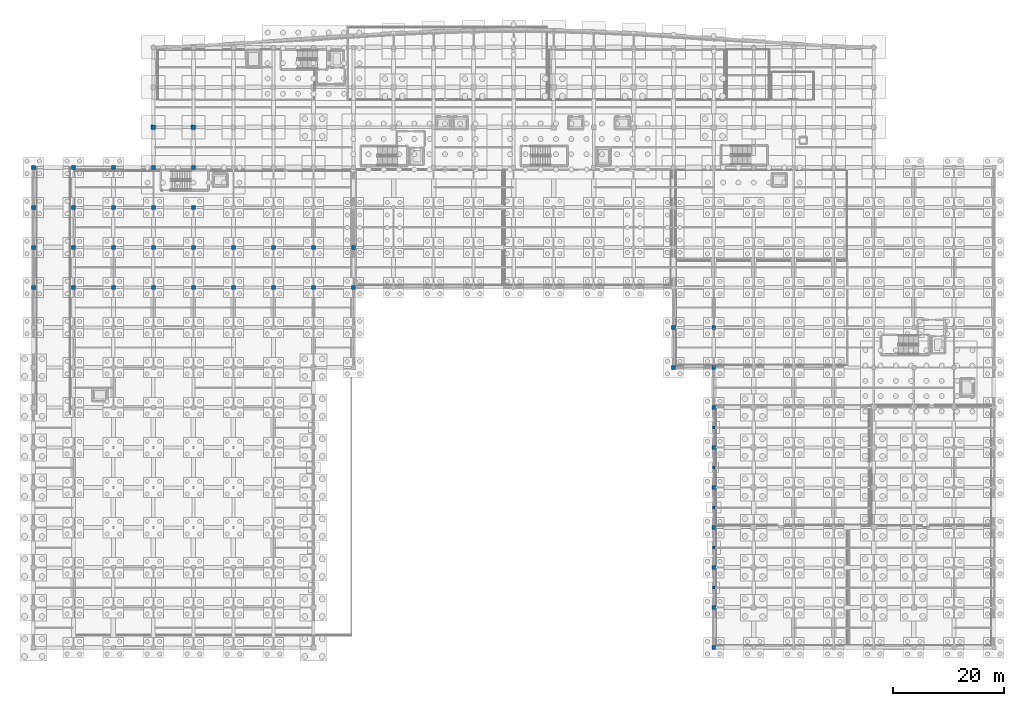
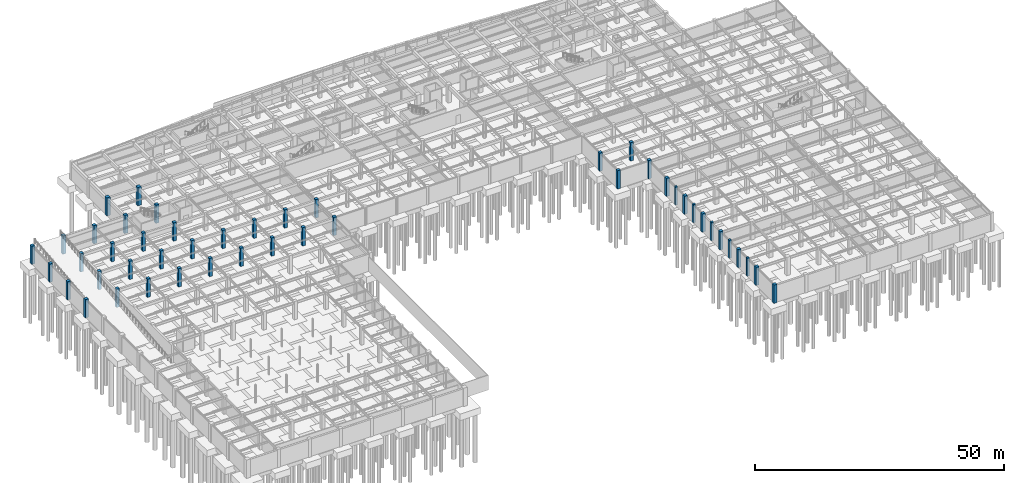
# One storey, part 17 of 48: 46 columns.
"""IFC4 building model written with IfcOpenShell, lengths in metres."""

from ifc_helpers import new_model, si_unit, direction, frame, origin, origin_2d, place, context, subcontext, project, spatial, rectangle, extrude, material, material_profile, profile_set, type_object, element, save


model = new_model("IFC4")

# Units and contexts
model_context = context("Model", 3, precision=1e-05, world=origin(), true_north=direction((0.0, 1.0)))
body_context = subcontext(model_context, "Body", "Model", "MODEL_VIEW")
ifc_project = project(units=[si_unit("LENGTHUNIT", "METRE"), si_unit("AREAUNIT", "SQUARE_METRE"), si_unit("VOLUMEUNIT", "CUBIC_METRE"), si_unit("PLANEANGLEUNIT", "RADIAN"), si_unit("MASSUNIT", "GRAM", prefix="KILO")], contexts=[model_context])

# Site, building, storey
site_placement = place(None, origin())
site = spatial("IfcSite", under=ifc_project, at=site_placement, CompositionType="ELEMENT")
building_placement = place(site_placement, origin())
building = spatial("IfcBuilding", under=site, at=building_placement, Name="Carrowvane Square Congress Hotel", CompositionType="ELEMENT")
storey_placement = place(building_placement, frame((0.0, 0.0, -4.5)))
storey = spatial("IfcBuildingStorey", under=building, at=storey_placement, Name="B01", CompositionType="ELEMENT", Elevation=-4.5)

# Columns
ifc_material_1 = material(Name="Concrete C40/50", Category="concrete")
ifc_material_profile_1 = material_profile(ifc_material_1, rectangle(XDim=0.699951171875, YDim=0.699951171875, at=origin_2d()), Name="RC 700x700")
ifc_profile_set_1 = profile_set([ifc_material_profile_1], Name="Concrete C40/50")
column_type_1 = type_object("IfcColumnType", Name="COL-RC-700", PredefinedType="COLUMN", material=ifc_profile_set_1)
for number, where, z_axis, x_axis, name in (
    (1, (11.60009765625, 70.199951171875, 0.0), (0.0, 0.0, 1.0), (1.0, 0.0, 0.0), "B01 column 1/K"),
    (2, (11.60009765625, 77.39990234375, 0.0), (0.0, 0.0, 1.0), (1.0, 0.0, 0.0), "B01 column 1/L"),
    (3, (11.60009765625, 84.60009765625, 0.0), (0.0, 0.0, 1.0), (1.0, 0.0, 0.0), "B01 column 1/M"),
    (4, (11.60009765625, 91.800048828125, 0.0), (0.0, 0.0, 1.0), (1.0, 0.0, 0.0), "B01 column 1/N"),
    (5, (18.800048828125, 70.199951171875, 0.0), (0.0, 0.0, 1.0), (1.0, 0.0, 0.0), "B01 column 2/K"),
    (6, (18.800048828125, 77.39990234375, 0.0), (0.0, 0.0, 1.0), (1.0, 0.0, 0.0), "B01 column 2/L"),
    (7, (18.800048828125, 84.60009765625, 0.0), (0.0, 0.0, 1.0), (1.0, 0.0, 0.0), "B01 column 2/M"),
    (8, (18.800048828125, 91.800048828125, 0.0), (0.0, 0.0, 1.0), (1.0, 0.0, 0.0), "B01 column 2/N"),
    (9, (26.0, 70.199951171875, 0.0), (0.0, 0.0, 1.0), (1.0, 0.0, 0.0), "B01 column 3/K"),
    (10, (26.0, 77.39990234375, 0.0), (0.0, 0.0, 1.0), (1.0, 0.0, 0.0), "B01 column 3/L"),
    (11, (26.0, 84.60009765625, 0.0), (0.0, 0.0, 1.0), (1.0, 0.0, 0.0), "B01 column 3/M"),
    (12, (26.0, 91.800048828125, 0.0), (0.0, 0.0, 1.0), (1.0, 0.0, 0.0), "B01 column 3/N"),
    (13, (33.199951171875, 70.199951171875, 0.0), (0.0, 0.0, 1.0), (1.0, 0.0, 0.0), "B01 column 4/K"),
    (14, (33.199951171875, 77.39990234375, 0.0), (0.0, 0.0, 1.0), (1.0, 0.0, 0.0), "B01 column 4/L"),
    (15, (33.199951171875, 84.60009765625, 0.0), (0.0, 0.0, 1.0), (1.0, 0.0, 0.0), "B01 column 4/M"),
    (16, (33.199951171875, 91.800048828125, 0.0), (0.0, 0.0, 1.0), (1.0, 0.0, 0.0), "B01 column 4/N"),
    (17, (40.39990234375, 70.199951171875, 0.0), (0.0, 0.0, 1.0), (1.0, 0.0, 0.0), "B01 column 5/K"),
    (18, (40.39990234375, 77.39990234375, 0.0), (0.0, 0.0, 1.0), (1.0, 0.0, 0.0), "B01 column 5/L"),
    (19, (40.39990234375, 84.60009765625, 0.0), (0.0, 0.0, 1.0), (1.0, 0.0, 0.0), "B01 column 5/M"),
    (20, (40.39990234375, 91.800048828125, 0.0), (0.0, 0.0, 1.0), (1.0, 0.0, 0.0), "B01 column 5/N"),
    (21, (47.60009765625, 70.199951171875, 0.0), (0.0, 0.0, 1.0), (1.0, 0.0, 0.0), "B01 column 6/K"),
    (22, (47.60009765625, 77.39990234375, 0.0), (0.0, 0.0, 1.0), (1.0, 0.0, 0.0), "B01 column 6/L"),
    (23, (54.800048828125, 70.199951171875, 0.0), (0.0, 0.0, 1.0), (1.0, 0.0, 0.0), "B01 column 7/K"),
    (24, (54.800048828125, 77.39990234375, 0.0), (0.0, 0.0, 1.0), (1.0, 0.0, 0.0), "B01 column 7/L"),
    (25, (62.0, 70.199951171875, 0.0), (0.0, 0.0, 1.0), (1.0, 0.0, 0.0), "B01 column 8/K"),
    (26, (62.0, 77.39990234375, 0.0), (0.0, 0.0, 1.0), (1.0, 0.0, 0.0), "B01 column 8/L"),
    (27, (69.199951171875, 70.199951171875, 0.0), (0.0, 0.0, 1.0), (1.0, 0.0, 0.0), "B01 column 9/K"),
    (28, (69.199951171875, 77.39990234375, 0.0), (0.0, 0.0, 1.0), (1.0, 0.0, 0.0), "B01 column 9/L"),
    (29, (126.800048828125, 55.800048828125, 0.0), (0.0, 0.0, 1.0), (1.0, 0.0, 0.0), "B01 column 17/H"),
    (30, (126.800048828125, 63.0, 0.0), (0.0, 0.0, 1.0), (1.0, 0.0, 0.0), "B01 column 17/J"),
    (31, (134.0, 5.39990234375, 0.0), (0.0, 0.0, 1.0), (1.0, 0.0, 0.0), "B01 column 18/A"),
    (32, (134.0, 12.60009765625, 0.0), (0.0, 0.0, 1.0), (1.0, 0.0, 0.0), "B01 column 18/B"),
    (33, (134.0, 19.800048828125, 0.0), (0.0, 0.0, 1.0), (1.0, 0.0, 0.0), "B01 column 18/C"),
    (34, (134.0, 27.0, 0.0), (0.0, 0.0, 1.0), (1.0, 0.0, 0.0), "B01 column 18/D"),
    (35, (134.0, 34.199951171875, 0.0), (0.0, 0.0, 1.0), (1.0, 0.0, 0.0), "B01 column 18/E"),
    (36, (134.0, 41.39990234375, 0.0), (0.0, 0.0, 1.0), (1.0, 0.0, 0.0), "B01 column 18/F"),
    (37, (134.0, 48.60009765625, 0.0), (0.0, 0.0, 1.0), (1.0, 0.0, 0.0), "B01 column 18/G"),
    (38, (134.0, 55.800048828125, 0.0), (0.0, 0.0, 1.0), (1.0, 0.0, 0.0), "B01 column 18/H"),
    (39, (134.0, 63.0, 0.0), (0.0, 0.0, 1.0), (1.0, 0.0, 0.0), "B01 column 18/J"),
):
    element("IfcColumn", number, at=place(storey_placement, frame(where, z_axis=z_axis, x_axis=x_axis)), inside=storey, type_object=column_type_1, Name=name, PredefinedType="COLUMN", context=body_context, shape_type="SweptSolid", body=[
        extrude(rectangle(XDim=0.699951171875, YDim=0.699951171875, at=origin_2d()), origin(), (0.0, 0.0, 1.0), 4.5),
    ])
ifc_material_2 = material(Name="Concrete C40/50", Category="concrete")
ifc_material_profile_2 = material_profile(ifc_material_2, rectangle(XDim=0.800048828125, YDim=0.800048828125, at=origin_2d()), Name="RC 800x800")
ifc_profile_set_2 = profile_set([ifc_material_profile_2], Name="Concrete C40/50")
column_type_2 = type_object("IfcColumnType", Name="COL-RC-800", PredefinedType="COLUMN", material=ifc_profile_set_2)
for number, where, z_axis, x_axis, name in (
    (40, (33.199951171875, 99.0, 0.0), (0.0, 0.0, 1.0), (1.0, 0.0, 0.0), "B01 column 4/P"),
    (41, (40.39990234375, 99.0, 0.0), (0.0, 0.0, 1.0), (1.0, 0.0, 0.0), "B01 column 5/P"),
):
    element("IfcColumn", number, at=place(storey_placement, frame(where, z_axis=z_axis, x_axis=x_axis)), inside=storey, type_object=column_type_2, Name=name, PredefinedType="COLUMN", context=body_context, shape_type="SweptSolid", body=[
        extrude(rectangle(XDim=0.800048828125, YDim=0.800048828125, at=origin_2d()), origin(), (0.0, 0.0, 1.0), 4.5),
    ])
ifc_material_3 = material(Name="Precast concrete C40/50", Category="concrete")
ifc_material_profile_3 = material_profile(ifc_material_3, rectangle(XDim=0.5, YDim=0.5, at=origin_2d()), Name="RC 500x500")
ifc_profile_set_3 = profile_set([ifc_material_profile_3], Name="Precast concrete C40/50")
column_type_3 = type_object("IfcColumnType", Name="PIL-PC-500", PredefinedType="PILASTER", material=ifc_profile_set_3)
for number, where, z_axis, x_axis, name in (
    (42, (134.0, 16.199951171875, 0.0), (0.0, 0.0, 1.0), (1.0, 0.0, 0.0), "B01 colonnade pilaster foundation 6"),
    (43, (134.0, 23.39990234375, 0.0), (0.0, 0.0, 1.0), (1.0, 0.0, 0.0), "B01 colonnade pilaster foundation 7"),
    (44, (134.0, 30.60009765625, 0.0), (0.0, 0.0, 1.0), (1.0, 0.0, 0.0), "B01 colonnade pilaster foundation 8"),
    (45, (134.0, 37.800048828125, 0.0), (0.0, 0.0, 1.0), (1.0, 0.0, 0.0), "B01 colonnade pilaster foundation 9"),
    (46, (134.0, 45.0, 0.0), (0.0, 0.0, 1.0), (1.0, 0.0, 0.0), "B01 colonnade pilaster foundation 10"),
):
    element("IfcColumn", number, at=place(storey_placement, frame(where, z_axis=z_axis, x_axis=x_axis)), inside=storey, type_object=column_type_3, Name=name, PredefinedType="PILASTER", context=body_context, shape_type="SweptSolid", body=[
        extrude(rectangle(XDim=0.5, YDim=0.5, at=origin_2d()), origin(), (0.0, 0.0, 1.0), 4.5),
    ])

save(model, "model.ifc")
